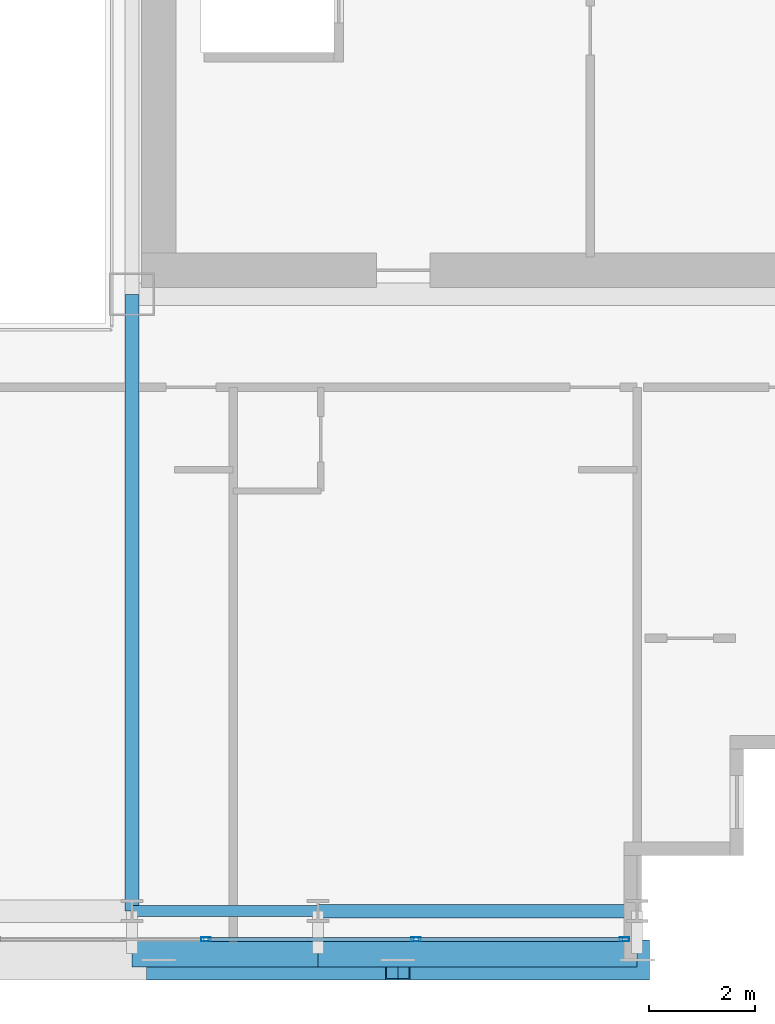
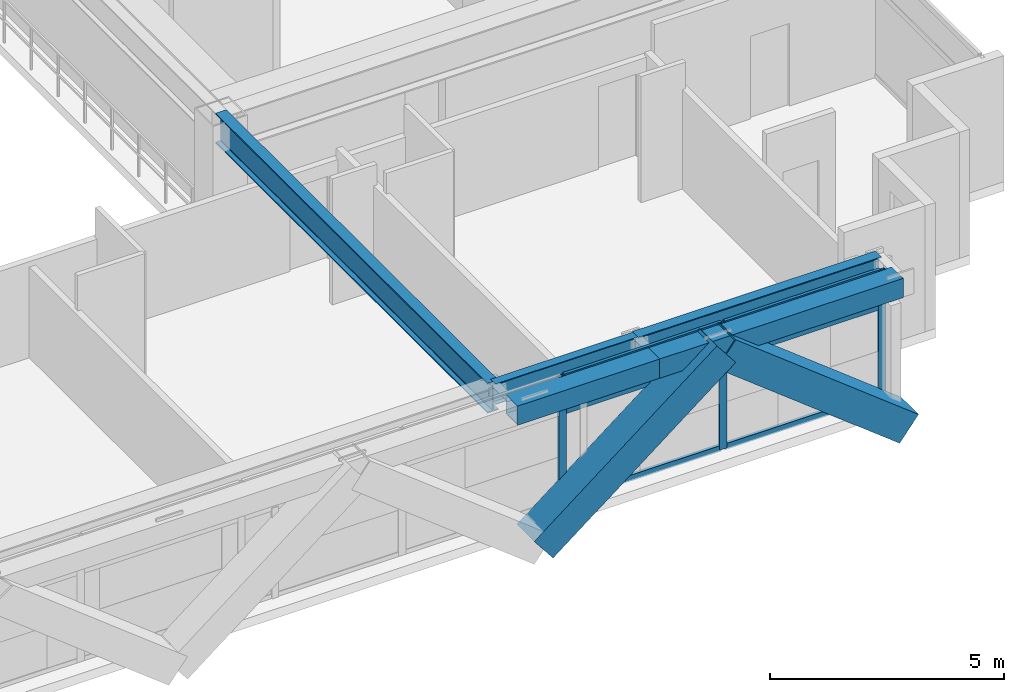
# One storey, part 10 of 36: 11 members, 5 beams, 1 element without a shape of its own.
"""IFC4 building model written with IfcOpenShell, lengths in metres."""

from ifc_helpers import new_model, si_unit, direction, frame, origin, origin_2d, place, context, subcontext, project, spatial, hollow_rectangle, i_section, extrude, source, transform, mapped, material, layer, layer_set, material_profile, profile_set, type_object, element, aggregate, save


model = new_model("IFC4")

# Units and contexts
model_context = context("Model", 3, precision=1e-05, world=origin(), true_north=direction((0.0, 1.0)))
body_context = subcontext(model_context, "Body", "Model", "MODEL_VIEW")
ifc_project = project(units=[si_unit("LENGTHUNIT", "METRE"), si_unit("AREAUNIT", "SQUARE_METRE"), si_unit("VOLUMEUNIT", "CUBIC_METRE"), si_unit("PLANEANGLEUNIT", "RADIAN"), si_unit("MASSUNIT", "GRAM", prefix="KILO")], contexts=[model_context])

# Site, building, storey
site_placement = place(None, origin())
site = spatial("IfcSite", under=ifc_project, at=site_placement, CompositionType="ELEMENT")
building_placement = place(site_placement, origin())
building = spatial("IfcBuilding", under=site, at=building_placement, Name="Ocotamira Hotel", CompositionType="ELEMENT")
storey_placement = place(building_placement, frame((0.0, 0.0, 147.60009765625)))
storey = spatial("IfcBuildingStorey", under=building, at=storey_placement, Name="L37", CompositionType="ELEMENT", Elevation=147.60009765625)

# Beams
ifc_material_1 = material(Name="Steel ASTM A992 Grade 50", Category="steel")
ifc_material_profile_1 = material_profile(ifc_material_1, i_section(OverallWidth=0.256103515625, OverallDepth=0.693115234375, WebThickness=0.014404296875, FlangeThickness=0.023681640625, FilletRadius=0.01611328125, at=origin_2d()), Name="W27X114")
ifc_profile_set_1 = profile_set([ifc_material_profile_1], Name="Steel ASTM A992 Grade 50")
beam_type_1 = type_object("IfcBeamType", Name="BM-PRIM-W27X114", PredefinedType="BEAM", material=ifc_profile_set_1)
shared_shape_1 = source(origin(), body_context, "Body", "SweptSolid", [
    extrude(i_section(OverallWidth=0.256103515625, OverallDepth=0.693115234375, WebThickness=0.014404296875, FlangeThickness=0.023681640625, FilletRadius=0.01611328125, at=origin_2d()), origin(), (0.0, 0.0, 1.0), 6.0),
])
beam_1_placement = place(storey_placement, frame((44.0, 2.949951171875, 2.933349609375), z_axis=(1.0, 0.0, 0.0), x_axis=(0.0, 1.0, 0.0)))
element("IfcBeam", 1, at=beam_1_placement, inside=storey, type_object=beam_type_1, Name="L37 Girder Y2.95 X44-50", PredefinedType="BEAM", context=body_context, shape_type="MappedRepresentation", body=[
    mapped(shared_shape_1, transform((0.0, 0.0, 0.0), scale=1.0)),
])
ifc_material_profile_2 = material_profile(ifc_material_1, i_section(OverallWidth=0.2099609375, OverallDepth=0.537109375, WebThickness=0.010986328125, FlangeThickness=0.017333984375, FilletRadius=0.012939453125, at=origin_2d()), Name="W21X68")
ifc_profile_set_2 = profile_set([ifc_material_profile_2], Name="Steel ASTM A992 Grade 50")
beam_type_2 = type_object("IfcBeamType", Name="BM-SEC-W21X68", PredefinedType="JOIST", material=ifc_profile_set_2)
shared_shape_2 = source(origin(), body_context, "Body", "SweptSolid", [
    extrude(i_section(OverallWidth=0.2099609375, OverallDepth=0.537109375, WebThickness=0.010986328125, FlangeThickness=0.017333984375, FilletRadius=0.012939453125, at=origin_2d()), origin(), (0.0, 0.0, 1.0), 3.5),
])
beam_2_placement = place(storey_placement, frame((40.5, 2.949951171875, 3.011474609375), z_axis=(1.0, 0.0, 0.0), x_axis=(0.0, 1.0, 0.0)))
element("IfcBeam", 2, at=beam_2_placement, inside=storey, type_object=beam_type_2, Name="L37 Girder Y2.95 X40.5-44", PredefinedType="JOIST", context=body_context, shape_type="MappedRepresentation", body=[
    mapped(shared_shape_2, transform((0.0, 0.0, 0.0), scale=1.0)),
])
ifc_material_profile_3 = material_profile(ifc_material_1, i_section(OverallWidth=0.26611328125, OverallDepth=0.779052734375, WebThickness=0.0166015625, FlangeThickness=0.030029296875, FilletRadius=0.01806640625, at=origin_2d()), Name="W30X148")
ifc_profile_set_3 = profile_set([ifc_material_profile_3], Name="Steel ASTM A992 Grade 50")
beam_type_3 = type_object("IfcBeamType", Name="BM-GIRD-W30X148", PredefinedType="BEAM", material=ifc_profile_set_3)
shared_shape_3 = source(origin(), body_context, "Body", "SweptSolid", [
    extrude(i_section(OverallWidth=0.26611328125, OverallDepth=0.779052734375, WebThickness=0.0166015625, FlangeThickness=0.030029296875, FilletRadius=0.01806640625, at=origin_2d()), origin(), (0.0, 0.0, 1.0), 11.60009765625),
])
beam_3_placement = place(storey_placement, frame((40.5, 2.949951171875, 2.890380859375), z_axis=(0.0, 1.0, 0.0), x_axis=(-1.0, 0.0, 0.0)))
element("IfcBeam", 3, at=beam_3_placement, inside=storey, type_object=beam_type_3, Name="L37 Beam X40.5 Y2.95-14.55", PredefinedType="BEAM", context=body_context, shape_type="MappedRepresentation", body=[
    mapped(shared_shape_3, transform((0.0, 0.0, 0.0), scale=1.0)),
])
ifc_material_2 = material(Name="Steel ASTM A500 Grade C", Category="steel")
ifc_material_profile_4 = material_profile(ifc_material_2, hollow_rectangle(XDim=0.5, YDim=0.5, WallThickness=0.02001953125, at=origin_2d()), Name="HSS500X500X20")
ifc_profile_set_4 = profile_set([ifc_material_profile_4], Name="Steel ASTM A500 Grade C")
beam_type_4 = type_object("IfcBeamType", Name="BM-SPAN-HSS500", PredefinedType="USERDEFINED", material=ifc_profile_set_4)
shared_shape_4 = source(origin(), body_context, "Body", "SweptSolid", [
    extrude(hollow_rectangle(XDim=0.5, YDim=0.5, WallThickness=0.02001953125, at=origin_2d()), origin(), (0.0, 0.0, 1.0), 6.0),
])
beam_4_placement = place(storey_placement, frame((44.0, 2.14990234375, 3.02978515625), z_axis=(1.0, 0.0, 0.0), x_axis=(0.0, 1.0, 0.0)))
element("IfcBeam", 4, at=beam_4_placement, inside=storey, type_object=beam_type_4, Name="L37 Edge Spandrel S X44-50", ObjectType="SPANDREL", PredefinedType="USERDEFINED", context=body_context, shape_type="MappedRepresentation", body=[
    mapped(shared_shape_4, transform((0.0, 0.0, 0.0), scale=1.0)),
])
shared_shape_5 = source(origin(), body_context, "Body", "SweptSolid", [
    extrude(hollow_rectangle(XDim=0.5, YDim=0.5, WallThickness=0.02001953125, at=origin_2d()), origin(), (0.0, 0.0, 1.0), 3.5),
])
beam_5_placement = place(storey_placement, frame((40.5, 2.14990234375, 3.02978515625), z_axis=(1.0, 0.0, 0.0), x_axis=(0.0, 1.0, 0.0)))
element("IfcBeam", 5, at=beam_5_placement, inside=storey, type_object=beam_type_4, Name="L37 Edge Spandrel S X40.5-44", ObjectType="SPANDREL", PredefinedType="USERDEFINED", context=body_context, shape_type="MappedRepresentation", body=[
    mapped(shared_shape_5, transform((0.0, 0.0, 0.0), scale=1.0)),
])

# Members
ifc_material_3 = material(Name="Pale-metal coated steel ASTM A913 Grade 65", Category="steel")
ifc_material_profile_5 = material_profile(ifc_material_3, hollow_rectangle(XDim=0.75, YDim=0.75, WallThickness=0.028076171875, at=origin_2d()), Name="BOX750X750X28")
ifc_profile_set_5 = profile_set([ifc_material_profile_5], Name="Pale-metal coated steel ASTM A913 Grade 65")
member_type_1 = type_object("IfcMemberType", Name="MEM-EXO-BOX750", PredefinedType="BRACE", material=ifc_profile_set_5)
shared_shape_6 = source(origin(), body_context, "Body", "SweptSolid", [
    extrude(hollow_rectangle(XDim=0.75, YDim=0.75, WallThickness=0.028076171875, at=origin_2d()), origin(), (0.0, 0.0, 1.0), 5.713134765625),
])
for number, where, z_axis, x_axis, name in (
    (6, (41.0, 2.030029296875, -0.489990234375), (0.787671799809, 0.0, 0.616095070412), (0.0, 1.0, 0.0), "L37 Exoskeleton Diagrid S3.1"),
    (7, (50.0, 2.030029296875, -0.489990234375), (-0.787671799809, 0.0, 0.616095070412), (0.0, -1.0, 0.0), "L37 Exoskeleton Diagrid S3.2"),
):
    element("IfcMember", number, at=place(storey_placement, frame(where, z_axis=z_axis, x_axis=x_axis)), inside=storey, type_object=member_type_1, Name=name, PredefinedType="BRACE", context=body_context, shape_type="MappedRepresentation", body=[
        mapped(shared_shape_6, transform((0.0, 0.0, 0.0), scale=1.0)),
    ])

# Curtain wall, members
ifc_material_4 = material(Name="Anodised pale-metal aluminium and solar glass", Category="aluminium")
ifc_layer = layer(ifc_material_4, 0.179931640625)
ifc_layer_set = layer_set([ifc_layer], Name="Anodised pale-metal aluminium and solar glass")
curtain_wall_type = type_object("IfcCurtainWallType", Name="CW-SYS3-Z2", PredefinedType="NOTDEFINED", material=ifc_layer_set)
curtain_wall_placement = place(storey_placement, origin())
curtain_wall = element("IfcCurtainWall", 8, at=curtain_wall_placement, inside=storey, type_object=curtain_wall_type, Name="L37 Curtain Wall CW-3 CW-L37-S1", PredefinedType="NOTDEFINED")
ifc_material_5 = material(Name="Anodised pale-metal aluminium 6063-T6", Category="aluminium")
ifc_material_profile_6 = material_profile(ifc_material_5, hollow_rectangle(XDim=0.074951171875, YDim=0.14990234375, WallThickness=0.006103515625, at=origin_2d()), Name="HSS150X75X6")
ifc_profile_set_6 = profile_set([ifc_material_profile_6], Name="Anodised pale-metal aluminium 6063-T6")
member_type_2 = type_object("IfcMemberType", Name="CWT-150X75", PredefinedType="USERDEFINED", material=ifc_profile_set_6)
shared_shape_7 = source(origin(), body_context, "Body", "SweptSolid", [
    extrude(hollow_rectangle(XDim=0.074951171875, YDim=0.14990234375, WallThickness=0.006103515625, at=origin_2d()), origin(), (0.0, 0.0, 1.0), 3.83544921875),
])
member_1_placement = place(storey_placement, frame((45.884521484375, 2.419921875, 0.037353515625), z_axis=(1.0, 0.0, 0.0), x_axis=(0.0, 1.0, 0.0)))
member_1 = element("IfcMember", 9, at=member_1_placement, type_object=member_type_2, Name="CW-3 transom 9.1", ObjectType="TRANSOM", PredefinedType="USERDEFINED", context=body_context, shape_type="MappedRepresentation", body=[
    mapped(shared_shape_7, transform((0.0, 0.0, 0.0), scale=1.0)),
])
member_2_placement = place(storey_placement, frame((45.884521484375, 2.419921875, 2.349853515625), z_axis=(1.0, 0.0, 0.0), x_axis=(0.0, 1.0, 0.0)))
member_2 = element("IfcMember", 10, at=member_2_placement, type_object=member_type_2, Name="CW-3 transom 9.2", ObjectType="TRANSOM", PredefinedType="USERDEFINED", context=body_context, shape_type="MappedRepresentation", body=[
    mapped(shared_shape_7, transform((0.0, 0.0, 0.0), scale=1.0)),
])
member_3_placement = place(storey_placement, frame((45.884521484375, 2.419921875, 3.242431640625), z_axis=(1.0, 0.0, 0.0), x_axis=(0.0, 1.0, 0.0)))
member_3 = element("IfcMember", 11, at=member_3_placement, type_object=member_type_2, Name="CW-3 transom 9.3", ObjectType="TRANSOM", PredefinedType="USERDEFINED", context=body_context, shape_type="MappedRepresentation", body=[
    mapped(shared_shape_7, transform((0.0, 0.0, 0.0), scale=1.0)),
])
shared_shape_8 = source(origin(), body_context, "Body", "SweptSolid", [
    extrude(hollow_rectangle(XDim=0.074951171875, YDim=0.14990234375, WallThickness=0.006103515625, at=origin_2d()), origin(), (0.0, 0.0, 1.0), 3.87548828125),
])
member_4_placement = place(storey_placement, frame((41.928955078125, 2.419921875, 0.037353515625), z_axis=(1.0, 0.0, 0.0), x_axis=(0.0, 1.0, 0.0)))
member_4 = element("IfcMember", 12, at=member_4_placement, type_object=member_type_2, Name="CW-3 transom 8.1", ObjectType="TRANSOM", PredefinedType="USERDEFINED", context=body_context, shape_type="MappedRepresentation", body=[
    mapped(shared_shape_8, transform((0.0, 0.0, 0.0), scale=1.0)),
])
member_5_placement = place(storey_placement, frame((41.928955078125, 2.419921875, 2.349853515625), z_axis=(1.0, 0.0, 0.0), x_axis=(0.0, 1.0, 0.0)))
member_5 = element("IfcMember", 13, at=member_5_placement, type_object=member_type_2, Name="CW-3 transom 8.2", ObjectType="TRANSOM", PredefinedType="USERDEFINED", context=body_context, shape_type="MappedRepresentation", body=[
    mapped(shared_shape_8, transform((0.0, 0.0, 0.0), scale=1.0)),
])
member_6_placement = place(storey_placement, frame((41.928955078125, 2.419921875, 3.242431640625), z_axis=(1.0, 0.0, 0.0), x_axis=(0.0, 1.0, 0.0)))
member_6 = element("IfcMember", 14, at=member_6_placement, type_object=member_type_2, Name="CW-3 transom 8.3", ObjectType="TRANSOM", PredefinedType="USERDEFINED", context=body_context, shape_type="MappedRepresentation", body=[
    mapped(shared_shape_8, transform((0.0, 0.0, 0.0), scale=1.0)),
])
ifc_material_profile_7 = material_profile(ifc_material_5, hollow_rectangle(XDim=0.080078125, YDim=0.179931640625, WallThickness=0.006103515625, at=origin_2d()), Name="HSS180X80X6")
ifc_profile_set_7 = profile_set([ifc_material_profile_7], Name="Anodised pale-metal aluminium 6063-T6")
member_type_3 = type_object("IfcMemberType", Name="CWM-180X75", PredefinedType="MULLION", material=ifc_profile_set_7)
shared_shape_9 = source(origin(), body_context, "Body", "SweptSolid", [
    extrude(hollow_rectangle(XDim=0.080078125, YDim=0.179931640625, WallThickness=0.006103515625, at=origin_2d()), origin(), (0.0, 0.0, 1.0), 3.27978515625),
])
member_7_placement = place(storey_placement, frame((41.888916015625, 2.419921875, 0.0), z_axis=(0.0, 0.0, 1.0), x_axis=(0.0, 1.0, 0.0)))
member_7 = element("IfcMember", 15, at=member_7_placement, type_object=member_type_3, Name="CW-3 mullion 8", PredefinedType="MULLION", context=body_context, shape_type="MappedRepresentation", body=[
    mapped(shared_shape_9, transform((0.0, 0.0, 0.0), scale=1.0)),
])
member_8_placement = place(storey_placement, frame((45.844482421875, 2.419921875, 0.0), z_axis=(0.0, 0.0, 1.0), x_axis=(0.0, 1.0, 0.0)))
member_8 = element("IfcMember", 16, at=member_8_placement, type_object=member_type_3, Name="CW-3 mullion 9", PredefinedType="MULLION", context=body_context, shape_type="MappedRepresentation", body=[
    mapped(shared_shape_9, transform((0.0, 0.0, 0.0), scale=1.0)),
])
member_9_placement = place(storey_placement, frame((49.760009765625, 2.419921875, 0.0), z_axis=(0.0, 0.0, 1.0), x_axis=(0.0, 1.0, 0.0)))
member_9 = element("IfcMember", 17, at=member_9_placement, type_object=member_type_3, Name="CW-3 mullion 10", PredefinedType="MULLION", context=body_context, shape_type="MappedRepresentation", body=[
    mapped(shared_shape_9, transform((0.0, 0.0, 0.0), scale=1.0)),
])
aggregate(curtain_wall, [member_7, member_8, member_9, member_4, member_5, member_6, member_1, member_2, member_3])

save(model, "model.ifc")
